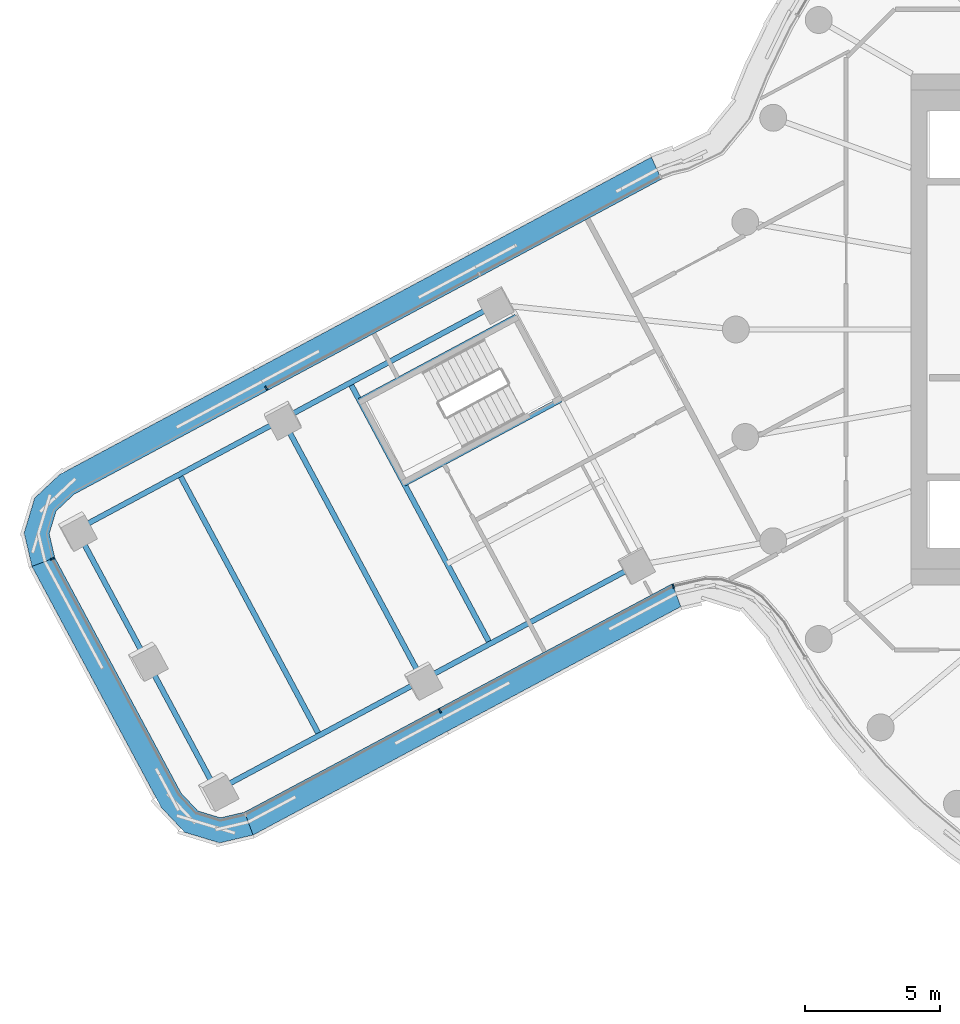
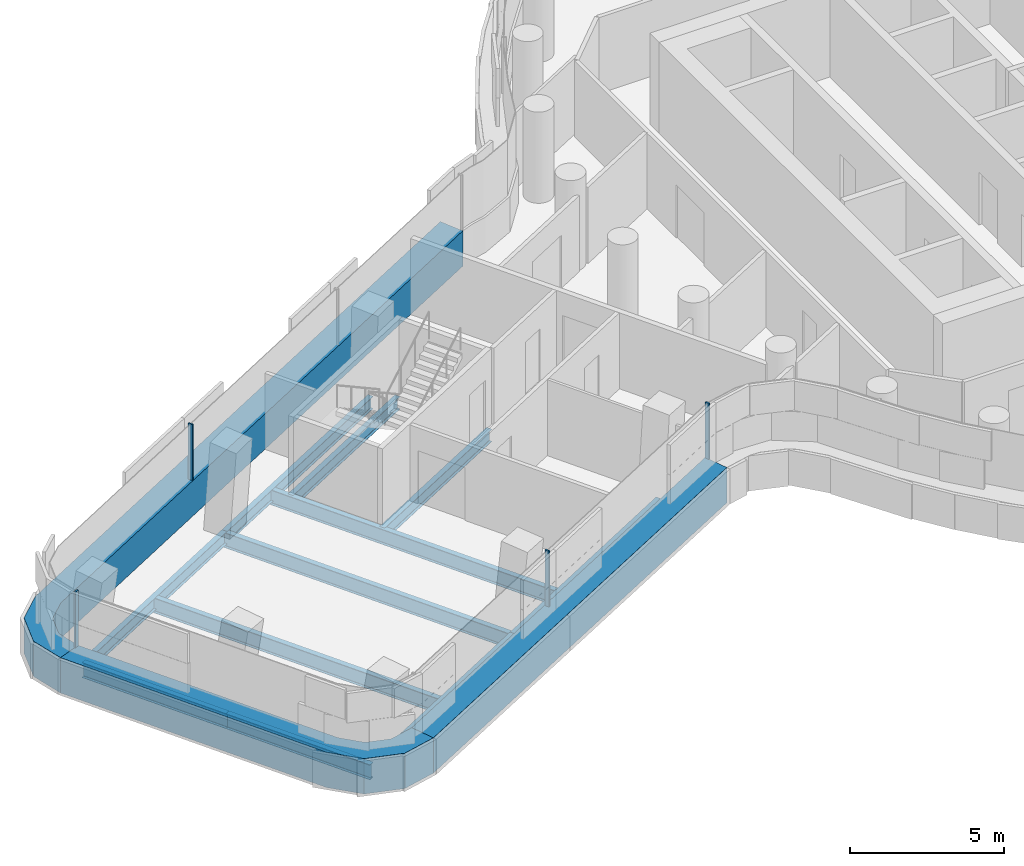
# One storey, part 6 of 33: 11 beams, 7 members, 4 elements without a shape of their own.
"""IFC4 building model written with IfcOpenShell, lengths in metres."""

from ifc_helpers import new_model, si_unit, direction, frame, origin, origin_2d, place, context, subcontext, project, spatial, polyline, rectangle, i_section, outline, extrude, material, layer, layer_set, material_profile, profile_set, type_object, element, aggregate, save


model = new_model("IFC4")

# Units and contexts
model_context = context("Model", 3, precision=1e-05, world=origin(), true_north=direction((0.0, 1.0)))
body_context = subcontext(model_context, "Body", "Model", "MODEL_VIEW")
ifc_project = project(units=[si_unit("LENGTHUNIT", "METRE"), si_unit("AREAUNIT", "SQUARE_METRE"), si_unit("VOLUMEUNIT", "CUBIC_METRE"), si_unit("PLANEANGLEUNIT", "RADIAN"), si_unit("MASSUNIT", "GRAM", prefix="KILO")], contexts=[model_context])

# Site, building, storey
site_placement = place(None, origin())
site = spatial("IfcSite", under=ifc_project, at=site_placement, CompositionType="ELEMENT")
building_placement = place(site_placement, origin())
building = spatial("IfcBuilding", under=site, at=building_placement, Name="Tamarind Cross Interchange Tower", CompositionType="ELEMENT")
storey_placement = place(building_placement, frame((0.0, 0.0, 136.75)))
storey = spatial("IfcBuildingStorey", under=building, at=storey_placement, Name="L33", CompositionType="ELEMENT", Elevation=136.75)

# Beams
ifc_material_1 = material(Name="Steel Q355B", Category="steel")
ifc_material_profile_1 = material_profile(ifc_material_1, i_section(OverallWidth=0.198974609375, OverallDepth=0.49609375, WebThickness=0.009033203125, FlangeThickness=0.013916015625, FilletRadius=0.012939453125, at=origin_2d()), Name="HN 496x199x9x14")
ifc_profile_set_1 = profile_set([ifc_material_profile_1], Name="Steel Q355B")
beam_type_1 = type_object("IfcBeamType", Name="Composite beam HN 496x199x9x14 Q355B", PredefinedType="BEAM", material=ifc_profile_set_1)
beam_1_placement = place(storey_placement, frame((-47.501220703125, -7.437744140625, -0.387939453125), z_axis=(0.881234214379, 0.4726798699, 0.0), x_axis=(-0.4726798699, 0.881234214379, 0.0)))
element("IfcBeam", 1, at=beam_1_placement, inside=storey, type_object=beam_type_1, Name="Beam W-edgeem5", PredefinedType="BEAM", context=body_context, shape_type="SweptSolid", body=[
    extrude(i_section(OverallWidth=0.198974609375, OverallDepth=0.49609375, WebThickness=0.009033203125, FlangeThickness=0.013916015625, FilletRadius=0.012939453125, at=origin_2d()), origin(), (0.0, 0.0, 1.0), 8.68798828125),
])
beam_2_placement = place(storey_placement, frame((-39.844970703125, -3.3310546875, -0.387939453125), z_axis=(0.881216495277, 0.472712902777, 0.0), x_axis=(-0.472712902777, 0.881216495277, 0.0)))
element("IfcBeam", 2, at=beam_2_placement, inside=storey, type_object=beam_type_1, Name="Beam W-edgeem6", PredefinedType="BEAM", context=body_context, shape_type="SweptSolid", body=[
    extrude(i_section(OverallWidth=0.198974609375, OverallDepth=0.49609375, WebThickness=0.009033203125, FlangeThickness=0.013916015625, FilletRadius=0.012939453125, at=origin_2d()), origin(), (0.0, 0.0, 1.0), 9.0),
])
beam_3_placement = place(storey_placement, frame((-42.301513671875, -17.13134765625, -0.387939453125), z_axis=(0.881222509201, 0.472701691638, 0.0), x_axis=(-0.472701691638, 0.881222509201, 0.0)))
element("IfcBeam", 3, at=beam_3_placement, inside=storey, type_object=beam_type_1, Name="Beam W-edgeep2", PredefinedType="BEAM", context=body_context, shape_type="SweptSolid", body=[
    extrude(i_section(OverallWidth=0.198974609375, OverallDepth=0.49609375, WebThickness=0.009033203125, FlangeThickness=0.013916015625, FilletRadius=0.012939453125, at=origin_2d()), origin(), (0.0, 0.0, 1.0), 8.688232421875),
])
beam_4_placement = place(storey_placement, frame((-34.645263671875, -13.0244140625, -0.387939453125), z_axis=(0.881216495277, 0.472712902777, 0.0), x_axis=(-0.472712902777, 0.881216495277, 0.0)))
element("IfcBeam", 4, at=beam_4_placement, inside=storey, type_object=beam_type_1, Name="Beam W-edgeep3", PredefinedType="BEAM", context=body_context, shape_type="SweptSolid", body=[
    extrude(i_section(OverallWidth=0.198974609375, OverallDepth=0.49609375, WebThickness=0.009033203125, FlangeThickness=0.013916015625, FilletRadius=0.012939453125, at=origin_2d()), origin(), (0.0, 0.0, 1.0), 9.0),
])
beam_5_placement = place(storey_placement, frame((-31.162841796875, 0.47509765625, -0.387939453125), z_axis=(-0.881223032974, -0.472700715207, 0.0), x_axis=(0.472700715207, -0.881223032974, 0.0)))
element("IfcBeam", 5, at=beam_5_placement, inside=storey, type_object=beam_type_1, Name="Beam W-tr0", PredefinedType="BEAM", context=body_context, shape_type="SweptSolid", body=[
    extrude(i_section(OverallWidth=0.198974609375, OverallDepth=0.49609375, WebThickness=0.009033203125, FlangeThickness=0.013916015625, FilletRadius=0.012939453125, at=origin_2d()), origin(), (0.0, 0.0, 1.0), 6.60009765625),
])
beam_6_placement = place(storey_placement, frame((-29.508544921875, -2.609130859375, -0.387939453125), z_axis=(-0.881214767207, -0.472716124177, 0.0), x_axis=(0.472716124177, -0.881214767207, 0.0)))
element("IfcBeam", 6, at=beam_6_placement, inside=storey, type_object=beam_type_1, Name="Beam W-tr1", PredefinedType="BEAM", context=body_context, shape_type="SweptSolid", body=[
    extrude(i_section(OverallWidth=0.198974609375, OverallDepth=0.49609375, WebThickness=0.009033203125, FlangeThickness=0.013916015625, FilletRadius=0.012939453125, at=origin_2d()), origin(), (0.0, 0.0, 1.0), 6.599853515625),
])
ifc_material_profile_2 = material_profile(ifc_material_1, i_section(OverallWidth=0.199951171875, OverallDepth=0.60009765625, WebThickness=0.010986328125, FlangeThickness=0.01708984375, FilletRadius=0.012939453125, at=origin_2d()), Name="HN 600x200x11x17")
ifc_profile_set_2 = profile_set([ifc_material_profile_2], Name="Steel Q355B")
beam_type_2 = type_object("IfcBeamType", Name="Composite beam HN 600x200x11x17 Q355B", PredefinedType="BEAM", material=ifc_profile_set_2)
beam_7_placement = place(storey_placement, frame((-47.501220703125, -7.437744140625, -0.43994140625), z_axis=(0.472704215394, -0.881221155414, 0.0), x_axis=(0.881221155414, 0.472704215394, 0.0)))
element("IfcBeam", 7, at=beam_7_placement, inside=storey, type_object=beam_type_2, Name="Beam W-tip0", PredefinedType="BEAM", context=body_context, shape_type="SweptSolid", body=[
    extrude(i_section(OverallWidth=0.199951171875, OverallDepth=0.60009765625, WebThickness=0.010986328125, FlangeThickness=0.01708984375, FilletRadius=0.012939453125, at=origin_2d()), origin(), (0.0, 0.0, 1.0), 5.5),
])
beam_8_placement = place(storey_placement, frame((-44.9013671875, -12.284423828125, -0.43994140625), z_axis=(0.472685725241, -0.881231073642, 0.0), x_axis=(0.881231073642, 0.472685725241, 0.0)))
element("IfcBeam", 8, at=beam_8_placement, inside=storey, type_object=beam_type_2, Name="Beam W-tip1", PredefinedType="BEAM", context=body_context, shape_type="SweptSolid", body=[
    extrude(i_section(OverallWidth=0.199951171875, OverallDepth=0.60009765625, WebThickness=0.010986328125, FlangeThickness=0.01708984375, FilletRadius=0.012939453125, at=origin_2d()), origin(), (0.0, 0.0, 1.0), 5.500244140625),
])
beam_9_placement = place(storey_placement, frame((-37.33349609375, -1.983642578125, -0.43994140625), z_axis=(0.472694970163, -0.881226114674, 0.0), x_axis=(0.881226114674, 0.472694970163, 0.0)))
element("IfcBeam", 9, at=beam_9_placement, inside=storey, type_object=beam_type_2, Name="Beam W-x364", PredefinedType="BEAM", context=body_context, shape_type="SweptSolid", body=[
    extrude(i_section(OverallWidth=0.199951171875, OverallDepth=0.60009765625, WebThickness=0.010986328125, FlangeThickness=0.01708984375, FilletRadius=0.012939453125, at=origin_2d()), origin(), (0.0, 0.0, 1.0), 11.000244140625),
])
beam_10_placement = place(storey_placement, frame((-39.844970703125, -3.3310546875, -0.43994140625), z_axis=(0.472704215394, -0.881221155414, 0.0), x_axis=(0.881221155414, 0.472704215394, 0.0)))
element("IfcBeam", 10, at=beam_10_placement, inside=storey, type_object=beam_type_2, Name="Beam W-x393", PredefinedType="BEAM", context=body_context, shape_type="SweptSolid", body=[
    extrude(i_section(OverallWidth=0.199951171875, OverallDepth=0.60009765625, WebThickness=0.010986328125, FlangeThickness=0.01708984375, FilletRadius=0.012939453125, at=origin_2d()), origin(), (0.0, 0.0, 1.0), 11.0),
])
beam_11_placement = place(storey_placement, frame((-43.673095703125, -5.38427734375, -0.43994140625), z_axis=(0.472694970163, -0.881226114674, 0.0), x_axis=(0.881226114674, 0.472694970163, 0.0)))
element("IfcBeam", 11, at=beam_11_placement, inside=storey, type_object=beam_type_2, Name="Beam W-x436", PredefinedType="BEAM", context=body_context, shape_type="SweptSolid", body=[
    extrude(i_section(OverallWidth=0.199951171875, OverallDepth=0.60009765625, WebThickness=0.010986328125, FlangeThickness=0.01708984375, FilletRadius=0.012939453125, at=origin_2d()), origin(), (0.0, 0.0, 1.0), 11.000244140625),
])

# Curtain wall, member
ifc_material_2 = material(Name="Aluminium 6063-T6", Category="aluminium")
ifc_layer = layer(ifc_material_2, 0.159912109375)
ifc_layer_set = layer_set([ifc_layer], Name="Aluminium 6063-T6")
curtain_wall_type = type_object("IfcCurtainWallType", Name="Office curtain wall, 9.0 m bays", PredefinedType="NOTDEFINED", material=ifc_layer_set)
curtain_wall_1_placement = place(storey_placement, origin())
curtain_wall_1 = element("IfcCurtainWall", 12, at=curtain_wall_1_placement, inside=storey, type_object=curtain_wall_type, Name="CWS-L33-03", PredefinedType="NOTDEFINED")
ifc_material_3 = material(Name="Aluminium and insulated spandrel panel", Category="aluminium")
member_type_1 = type_object("IfcMemberType", Name="Floor-edge blade transom", PredefinedType="USERDEFINED", material=ifc_material_3)
member_1_placement = place(storey_placement, origin())
member_1 = element("IfcMember", 13, at=member_1_placement, type_object=member_type_1, Name="CWT-L33-03", ObjectType="TRANSOM", PredefinedType="USERDEFINED", context=body_context, shape_type="SweptSolid", body=[
    extrude(outline(polyline([(-25.764404296875, 5.583740234375), (-47.593017578125, -6.125244140625), (-48.26025390625, -6.751953125), (-48.5126953125, -7.58935546875), (-48.303466796875, -8.48046875), (-49.152587890625, -8.801513671875), (-49.444091796875, -7.56005859375), (-49.052001953125, -6.26123046875), (-48.122802734375, -5.38818359375), (-26.137939453125, 6.40478515625), (-25.764404296875, 5.583740234375)])), origin(), (0.0, 0.0, 1.0), 1.39990234375),
])

curtain_wall_2_placement = place(storey_placement, origin())
curtain_wall_2 = element("IfcCurtainWall", 14, at=curtain_wall_2_placement, inside=storey, type_object=curtain_wall_type, Name="CWS-L33-04", PredefinedType="NOTDEFINED")
member_2_placement = place(storey_placement, origin())
member_2 = element("IfcMember", 15, at=member_2_placement, type_object=member_type_1, Name="CWT-L33-04", ObjectType="TRANSOM", PredefinedType="USERDEFINED", context=body_context, shape_type="SweptSolid", body=[
    extrude(outline(polyline([(-48.303466796875, -8.48046875), (-43.614013671875, -17.22314453125), (-42.9873046875, -17.89013671875), (-42.14990234375, -18.142822265625), (-41.258544921875, -17.93359375), (-40.9384765625, -18.782958984375), (-42.178955078125, -19.07421875), (-43.47802734375, -18.68212890625), (-44.35107421875, -17.7529296875), (-49.152587890625, -8.801513671875), (-48.303466796875, -8.48046875)])), origin(), (0.0, 0.0, 1.0), 1.39990234375),
])

curtain_wall_3_placement = place(storey_placement, origin())
curtain_wall_3 = element("IfcCurtainWall", 16, at=curtain_wall_3_placement, inside=storey, type_object=curtain_wall_type, Name="CWS-L33-05", PredefinedType="NOTDEFINED")
member_3_placement = place(storey_placement, origin())
member_3 = element("IfcMember", 17, at=member_3_placement, type_object=member_type_1, Name="CWT-L33-05", ObjectType="TRANSOM", PredefinedType="USERDEFINED", context=body_context, shape_type="SweptSolid", body=[
    extrude(outline(polyline([(-41.258544921875, -17.93359375), (-25.3603515625, -9.446044921875), (-25.04296875, -10.296875), (-40.9384765625, -18.782958984375), (-41.258544921875, -17.93359375)])), origin(), (0.0, 0.0, 1.0), 1.39990234375),
])

# Member
ifc_material_profile_3 = material_profile(ifc_material_2, rectangle(XDim=0.06005859375, YDim=0.159912109375, at=origin_2d()), Name="Mullion CW1")
ifc_profile_set_3 = profile_set([ifc_material_profile_3], Name="Aluminium 6063-T6")
member_type_2 = type_object("IfcMemberType", Name="Mullion CW1", PredefinedType="MULLION", material=ifc_profile_set_3)
member_4_placement = place(storey_placement, frame((-40.44775390625, -2.17919921875, 1.39990234375), z_axis=(0.0, 0.0, 1.0), x_axis=(-0.881224263054, -0.472698422046, 0.0)))
member_4 = element("IfcMember", 18, at=member_4_placement, type_object=member_type_2, Name="CWM-L33-03-02", PredefinedType="MULLION", context=body_context, shape_type="SweptSolid", body=[
    extrude(rectangle(XDim=0.06005859375, YDim=0.159912109375, at=origin_2d()), origin(), (0.0, 0.0, 1.0), 2.210205078125),
])

aggregate(curtain_wall_1, [member_4, member_1])

member_5_placement = place(storey_placement, frame((-48.39794921875, -8.51611328125, 1.39990234375), z_axis=(0.0, 0.0, 1.0), x_axis=(0.353631573969, -0.935384792421, 0.0)))
member_5 = element("IfcMember", 19, at=member_5_placement, type_object=member_type_2, Name="CWM-L33-04-00", PredefinedType="MULLION", context=body_context, shape_type="SweptSolid", body=[
    extrude(rectangle(XDim=0.06005859375, YDim=0.159912109375, at=origin_2d()), origin(), (0.0, 0.0, 1.0), 2.210205078125),
])

aggregate(curtain_wall_2, [member_5, member_2])

member_6_placement = place(storey_placement, frame((-33.99951171875, -14.171630859375, 1.39990234375), z_axis=(0.0, 0.0, 1.0), x_axis=(0.88215520934, 0.47095879505, 0.0)))
member_6 = element("IfcMember", 20, at=member_6_placement, type_object=member_type_2, Name="CWM-L33-05-01", PredefinedType="MULLION", context=body_context, shape_type="SweptSolid", body=[
    extrude(rectangle(XDim=0.06005859375, YDim=0.159912109375, at=origin_2d()), origin(), (0.0, 0.0, 1.0), 2.210205078125),
])

aggregate(curtain_wall_3, [member_6, member_3])

# Curtain wall, member
curtain_wall_4_placement = place(storey_placement, origin())
curtain_wall_4 = element("IfcCurtainWall", 21, at=curtain_wall_4_placement, inside=storey, type_object=curtain_wall_type, Name="CWS-L33-06", PredefinedType="NOTDEFINED")
member_7_placement = place(storey_placement, frame((-25.3251953125, -9.54052734375, 1.39990234375), z_axis=(0.0, 0.0, 1.0), x_axis=(0.936835110379, 0.349771319523, 0.0)))
member_7 = element("IfcMember", 22, at=member_7_placement, type_object=member_type_2, Name="CWM-L33-06-00", PredefinedType="MULLION", context=body_context, shape_type="SweptSolid", body=[
    extrude(rectangle(XDim=0.06005859375, YDim=0.159912109375, at=origin_2d()), origin(), (0.0, 0.0, 1.0), 2.210205078125),
])
aggregate(curtain_wall_4, [member_7])

save(model, "model.ifc")
